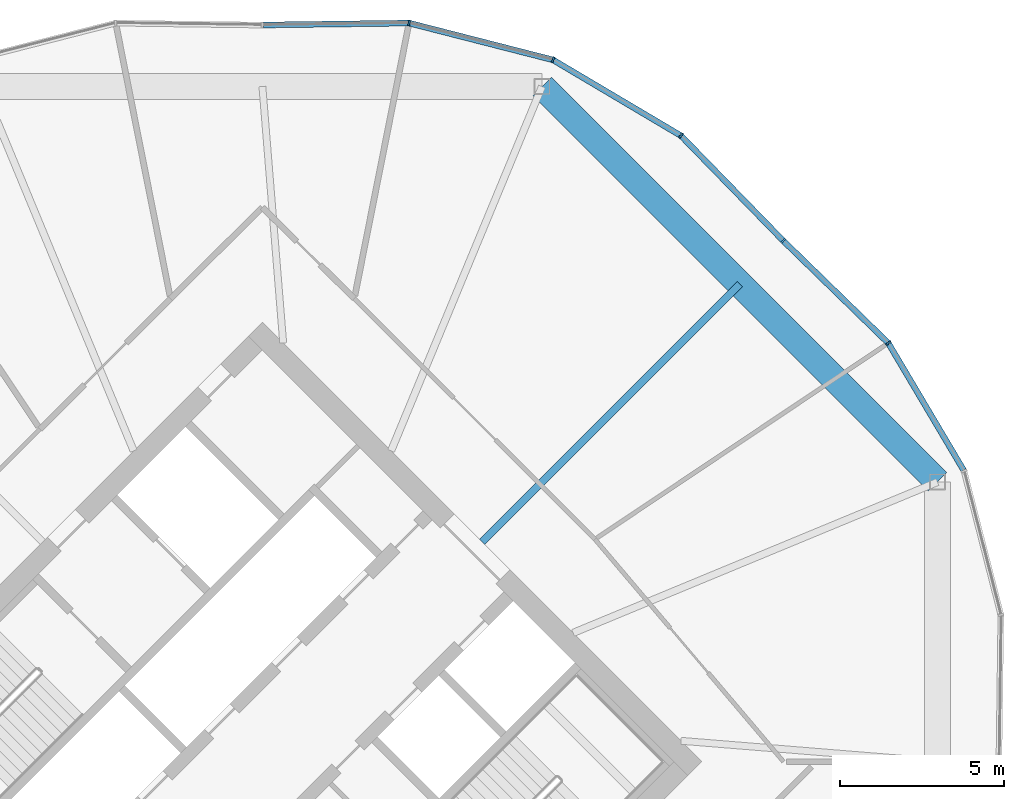
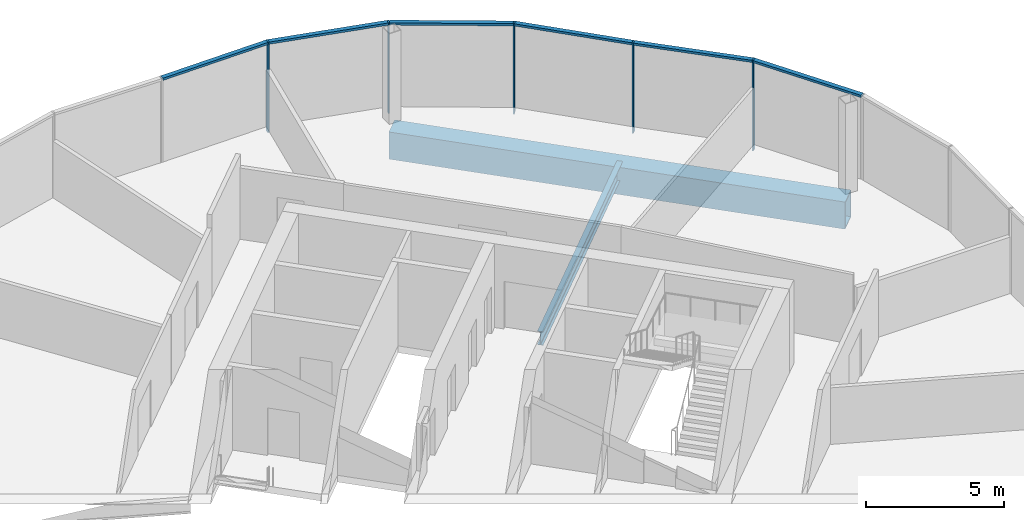
# One storey, part 16 of 25: 11 members, 2 beams, 2 elements without a shape of their own.
"""IFC4 building model written with IfcOpenShell, lengths in metres."""

import ifcopenshell
import ifcopenshell.guid

model = None  # the IFC model being written
_history = None  # IfcOwnerHistory: only IFC2X3 demands one
_inside = {}  # id of a spatial element -> (the spatial element, [elements in it])
_under = {}  # id of a project, library or spatial element -> (it, [spatial elements below it])
_declared = {}  # id of a project -> (the project, [libraries it declares])
_typed = {}  # id of a type object -> (the type object, [elements of that type])
_made_of = {}  # id of a material, layer set ... -> (it, [elements and type objects made of it])


def new_model(schema):
    """Start an empty IFC model of exactly this schema.

    Asked for "IFC4X3", IfcOpenShell would pick the latest addendum, in which some entities
    have other attributes; the version numbers below select the first issue.
    IFC2X3 requires an IfcOwnerHistory on every rooted entity: one is made here for all.
    """
    global model, _history
    if schema == "IFC4X3":
        model = ifcopenshell.file(schema_version=(4, 3, 0, 0))
    else:
        model = ifcopenshell.file(schema=schema)
    _inside.clear()
    _under.clear()
    _declared.clear()
    _typed.clear()
    _made_of.clear()
    _history = None
    if model.schema == "IFC2X3":
        org = make("IfcOrganization", Name="unknown")
        user = make(
            "IfcPersonAndOrganization",
            ThePerson=make("IfcPerson", FamilyName="unknown"),
            TheOrganization=org,
        )
        app = make(
            "IfcApplication",
            ApplicationDeveloper=org,
            Version="unknown",
            ApplicationFullName="unknown",
            ApplicationIdentifier="unknown",
        )
        _history = make(
            "IfcOwnerHistory",
            OwningUser=user,
            OwningApplication=app,
            ChangeAction="ADDED",
            CreationDate=0,
        )
    return model


def make(cls, **values):
    """One entity of the class cls with the attributes given. An attribute that is None is left unset."""
    return model.create_entity(
        cls, **{name: value for name, value in values.items() if value is not None}
    )


def rooted(cls, **values):
    """An entity with a GlobalId (a new one), such as an element, a storey or a relation."""
    return make(cls, GlobalId=ifcopenshell.guid.new(), OwnerHistory=_history, **values)


def si_unit(unit_type, name, prefix=None):
    """IfcSIUnit, for example si_unit("LENGTHUNIT", "METRE", prefix="MILLI")."""
    return make("IfcSIUnit", UnitType=unit_type, Prefix=prefix, Name=name)


def assignment(units):
    """IfcUnitAssignment: the units of a project."""
    return None if units is None else make("IfcUnitAssignment", Units=units)


def point(xyz):
    """IfcCartesianPoint."""
    return None if xyz is None else make("IfcCartesianPoint", Coordinates=xyz)


def direction(xyz):
    """IfcDirection."""
    return None if xyz is None else make("IfcDirection", DirectionRatios=xyz)


def frame(location, z_axis=None, x_axis=None):
    """IfcAxis2Placement3D, a coordinate frame: its origin and axes. An axis left out is left unset."""
    return make(
        "IfcAxis2Placement3D",
        Location=point(location),
        Axis=direction(z_axis),
        RefDirection=direction(x_axis),
    )


def frame_2d(location, x_axis=None):
    """IfcAxis2Placement2D, a coordinate frame in the plane: its origin and x axis."""
    return make(
        "IfcAxis2Placement2D", Location=point(location), RefDirection=direction(x_axis)
    )


def origin():
    """The frame at (0, 0, 0) with its axes left unset."""
    return frame((0.0, 0.0, 0.0))


def origin_2d():
    """The frame at (0, 0) in the plane with its x axis left unset."""
    return frame_2d((0.0, 0.0))


def place(relative_to, where):
    """IfcLocalPlacement: puts the frame where relative to a parent placement (None: the world)."""
    return make(
        "IfcLocalPlacement", PlacementRelTo=relative_to, RelativePlacement=where
    )


def context(
    kind, dimensions, precision=None, world=None, true_north=None, identifier=None
):
    """IfcGeometricRepresentationContext, for example the 3D "Model" context."""
    return make(
        "IfcGeometricRepresentationContext",
        ContextIdentifier=identifier,
        ContextType=kind,
        CoordinateSpaceDimension=dimensions,
        Precision=precision,
        WorldCoordinateSystem=world,
        TrueNorth=true_north,
    )


def subcontext(parent, identifier, kind, view, scale=None):
    """IfcGeometricRepresentationSubContext, for example "Body" below "Model"."""
    return make(
        "IfcGeometricRepresentationSubContext",
        ContextIdentifier=identifier,
        ContextType=kind,
        ParentContext=parent,
        TargetScale=scale,
        TargetView=view,
    )


def project(units=None, contexts=None):
    """IfcProject with its units and contexts."""
    return rooted(
        "IfcProject",
        Name="project",
        RepresentationContexts=contexts,
        UnitsInContext=assignment(units),
    )


def spatial(cls, under=None, at=None, **own):
    """A site, building, storey or space (cls), placed at a placement, below another one or the project."""
    s = rooted(cls, ObjectPlacement=at, **own)
    if under is not None:
        _under.setdefault(under.id(), (under, []))[1].append(s)
    return s


def profile(cls, at=None, kind="AREA", **sizes):
    """A parametric profile (cls). Its sizes go by their IFC names, for example OverallWidth=200.0."""
    return make(cls, ProfileType=kind, Position=at, **sizes)


def rectangle(**sizes):
    """IfcRectangleProfileDef."""
    return profile("IfcRectangleProfileDef", **sizes)


def hollow_rectangle(**sizes):
    """IfcRectangleHollowProfileDef."""
    return profile("IfcRectangleHollowProfileDef", **sizes)


def i_section(**sizes):
    """IfcIShapeProfileDef."""
    return profile("IfcIShapeProfileDef", **sizes)


def extrude(swept, where, along, depth):
    """IfcExtrudedAreaSolid: the profile swept, set in the frame where, extruded along a direction by depth."""
    return make(
        "IfcExtrudedAreaSolid",
        SweptArea=swept,
        Position=where,
        ExtrudedDirection=direction(along),
        Depth=depth,
    )


def shape(context_of_items, identifier, shape_type, items):
    """IfcShapeRepresentation: the items that make up one representation, for example the "Body"."""
    return make(
        "IfcShapeRepresentation",
        ContextOfItems=context_of_items,
        RepresentationIdentifier=identifier,
        RepresentationType=shape_type,
        Items=items,
    )


def material(Name=None, Category=None):
    """IfcMaterial."""
    return make("IfcMaterial", Name=Name, Category=Category)


def material_profile(
    of_material, cross_section, Name=None, Category=None, Priority=None
):
    """IfcMaterialProfile: a cross section and its material."""
    return make(
        "IfcMaterialProfile",
        Name=Name,
        Material=of_material,
        Profile=cross_section,
        Priority=Priority,
        Category=Category,
    )


def profile_set(profiles, Name=None, composite=None):
    """IfcMaterialProfileSet."""
    return make(
        "IfcMaterialProfileSet",
        Name=Name,
        MaterialProfiles=profiles,
        CompositeProfile=composite,
    )


def made_of(thing, what):
    """Note that an element or type object is made of a material, layer set ...; save() writes the relation."""
    if what is not None:
        _made_of.setdefault(what.id(), (what, []))[1].append(thing)
    return thing


def type_object(cls, material=None, **own):
    """A type object (cls), such as IfcWallType, which elements share."""
    return made_of(rooted(cls, **own), material)


def element(
    cls,
    number,
    at=None,
    inside=None,
    cuts=None,
    type_object=None,
    material=None,
    context=None,
    identifier="Body",
    shape_type=None,
    held_by="IfcProductDefinitionShape",
    body=None,
    shapes=None,
    **own,
):
    """One element of the class cls, such as IfcWall. Its Tag is "e" and its number.

    at: its placement. inside: the storey or other place that contains it. cuts: it is an
    opening in that element (IfcRelVoidsElement). A single representation is given by context,
    identifier, shape_type and body (its items); several are given by shapes. held_by: the class
    of the entity that holds the representations. save() writes the other relations.
    """
    e = rooted(cls, Tag="e%d" % number, ObjectPlacement=at, **own)
    if body is not None:
        shapes = [shape(context, identifier, shape_type, body)]
    if shapes is not None:
        e.Representation = make(held_by, Representations=shapes)
    if inside is not None:
        _inside.setdefault(inside.id(), (inside, []))[1].append(e)
    if cuts is not None:
        rooted(
            "IfcRelVoidsElement", RelatingBuildingElement=cuts, RelatedOpeningElement=e
        )
    if type_object is not None:
        _typed.setdefault(type_object.id(), (type_object, []))[1].append(e)
    return made_of(e, material)


def aggregate(whole, parts):
    """IfcRelAggregates: a whole, such as a stair, and the parts it consists of."""
    return rooted("IfcRelAggregates", RelatingObject=whole, RelatedObjects=parts)


def save(model, path):
    """Write the relations noted so far, then the file.

    IfcRelAggregates (storeys below a building ...), IfcRelContainedInSpatialStructure (elements
    in a storey), IfcRelDefinesByType, IfcRelAssociatesMaterial and IfcRelDeclares: one each for
    every whole, place, type object, material and project.
    """
    for whole, parts in _under.values():
        aggregate(whole, parts)
    for where, things in _inside.values():
        rooted(
            "IfcRelContainedInSpatialStructure",
            RelatedElements=things,
            RelatingStructure=where,
        )
    for kind, things in _typed.values():
        rooted("IfcRelDefinesByType", RelatedObjects=things, RelatingType=kind)
    for what, things in _made_of.values():
        rooted("IfcRelAssociatesMaterial", RelatedObjects=things, RelatingMaterial=what)
    for by, libraries in _declared.values():
        rooted("IfcRelDeclares", RelatingContext=by, RelatedDefinitions=libraries)
    model.write(path)


model = new_model("IFC4")

# Units and contexts
model_context = context("Model", 3, precision=1e-05, world=origin(), true_north=direction((0.0, 1.0)))
body_context = subcontext(model_context, "Body", "Model", "MODEL_VIEW")
ifc_project = project(units=[si_unit("LENGTHUNIT", "METRE"), si_unit("AREAUNIT", "SQUARE_METRE"), si_unit("VOLUMEUNIT", "CUBIC_METRE"), si_unit("PLANEANGLEUNIT", "RADIAN"), si_unit("MASSUNIT", "GRAM", prefix="KILO")], contexts=[model_context])

# Site, building, storey
site_placement = place(None, origin())
site = spatial("IfcSite", under=ifc_project, at=site_placement, CompositionType="ELEMENT")
building_placement = place(site_placement, origin())
building = spatial("IfcBuilding", under=site, at=building_placement, Name="Ogive Gate Towers", CompositionType="ELEMENT")
storey_placement = place(building_placement, frame((0.0, 0.0, 152.800048828125)))
storey = spatial("IfcBuildingStorey", under=building, at=storey_placement, Name="L36", CompositionType="ELEMENT", Elevation=152.800048828125)

# Beams
ifc_material_1 = material(Name="Steel SM460", Category="steel")
ifc_material_profile_1 = material_profile(ifc_material_1, hollow_rectangle(XDim=0.800048828125, YDim=1.199951171875, WallThickness=0.050048828125, at=origin_2d()), Name="BX 1200x800x50")
ifc_profile_set_1 = profile_set([ifc_material_profile_1], Name="Steel SM460")
beam_type_1 = type_object("IfcBeamType", Name="Edge girder BX 1200x800x50", PredefinedType="BEAM", material=ifc_profile_set_1)
beam_1_placement = place(storey_placement, frame((56.639404296875, 8.549072265625, -0.900146484375), z_axis=(-0.707106781187, 0.707106781187, 0.0), x_axis=(-0.707106781187, -0.707106781187, 0.0)))
element("IfcBeam", 1, at=beam_1_placement, inside=storey, type_object=beam_type_1, Name="T2/L36/SBM021", PredefinedType="BEAM", context=body_context, shape_type="SweptSolid", body=[
    extrude(hollow_rectangle(XDim=0.800048828125, YDim=1.199951171875, WallThickness=0.050048828125, at=origin_2d()), origin(), (0.0, 0.0, 1.0), 17.098388671875),
])
ifc_material_2 = material(Name="Steel SM355", Category="steel")
ifc_material_profile_2 = material_profile(ifc_material_2, i_section(OverallWidth=0.219970703125, OverallDepth=0.60009765625, WebThickness=0.011962890625, FlangeThickness=0.01904296875, FilletRadius=0.02392578125, at=origin_2d()), Name="IPE 600")
ifc_profile_set_2 = profile_set([ifc_material_profile_2], Name="Steel SM355")
beam_type_2 = type_object("IfcBeamType", Name="Radial floor beam IPE 600", PredefinedType="BEAM", material=ifc_profile_set_2)
beam_2_placement = place(storey_placement, frame((42.717529296875, 6.717529296875, -0.60009765625), z_axis=(0.707106781187, 0.707106781187, 0.0), x_axis=(-0.707106781187, 0.707106781187, 0.0)))
element("IfcBeam", 2, at=beam_2_placement, inside=storey, type_object=beam_type_2, Name="T2/L36/SBM010", PredefinedType="BEAM", context=body_context, shape_type="SweptSolid", body=[
    extrude(i_section(OverallWidth=0.219970703125, OverallDepth=0.60009765625, WebThickness=0.011962890625, FlangeThickness=0.01904296875, FilletRadius=0.02392578125, at=origin_2d()), origin(), (0.0, 0.0, 1.0), 11.139404296875),
])

# Curtain wall, members
ifc_material_3 = material(Name="Pale metal aluminium", Category="aluminium")
curtain_wall_type = type_object("IfcCurtainWallType", Name="Tower unitised wall, high zone", PredefinedType="NOTDEFINED", material=ifc_material_3)
curtain_wall_1_placement = place(storey_placement, origin())
curtain_wall_1 = element("IfcCurtainWall", 3, at=curtain_wall_1_placement, inside=storey, type_object=curtain_wall_type, Name="CW2 T2 ECW01", PredefinedType="NOTDEFINED")
ifc_material_profile_3 = material_profile(ifc_material_3, rectangle(XDim=0.179931640625, YDim=0.06005859375, at=origin_2d()), Name="60 x 180 aluminium box")
ifc_profile_set_3 = profile_set([ifc_material_profile_3], Name="Pale metal aluminium")
member_type_1 = type_object("IfcMemberType", Name="Tower unitised wall, high zone mullion 60 x 180", PredefinedType="MULLION", material=ifc_profile_set_3)
member_1_placement = place(storey_placement, frame((55.136962890625, 12.79541015625, -0.300048828125), z_axis=(0.0, 0.0, 1.0), x_axis=(0.78580292387, 0.618476971954, 0.0)))
member_1 = element("IfcMember", 4, at=member_1_placement, type_object=member_type_1, Name="CW2 mullion", PredefinedType="MULLION", context=body_context, shape_type="SweptSolid", body=[
    extrude(rectangle(XDim=0.179931640625, YDim=0.06005859375, at=origin_2d()), origin(), (0.0, 0.0, 1.0), 4.0),
])
member_2_placement = place(storey_placement, frame((51.924072265625, 15.923828125, -0.300048828125), z_axis=(0.0, 0.0, 1.0), x_axis=(0.697652926882, 0.716435896374, 0.0)))
member_2 = element("IfcMember", 5, at=member_2_placement, type_object=member_type_1, Name="CW2 mullion", PredefinedType="MULLION", context=body_context, shape_type="SweptSolid", body=[
    extrude(rectangle(XDim=0.179931640625, YDim=0.06005859375, at=origin_2d()), origin(), (0.0, 0.0, 1.0), 4.0),
])

curtain_wall_2_placement = place(storey_placement, origin())
curtain_wall_2 = element("IfcCurtainWall", 6, at=curtain_wall_2_placement, inside=storey, type_object=curtain_wall_type, Name="CW2 T2 ECW02", PredefinedType="NOTDEFINED")
member_3_placement = place(storey_placement, frame((48.79541015625, 19.136962890625, -0.300048828125), z_axis=(0.0, 0.0, 1.0), x_axis=(0.618476971954, 0.78580292387, 0.0)))
member_3 = element("IfcMember", 7, at=member_3_placement, type_object=member_type_1, Name="CW2 mullion", PredefinedType="MULLION", context=body_context, shape_type="SweptSolid", body=[
    extrude(rectangle(XDim=0.179931640625, YDim=0.06005859375, at=origin_2d()), origin(), (0.0, 0.0, 1.0), 4.0),
])
member_4_placement = place(storey_placement, frame((44.88623046875, 21.45361328125, -0.300048828125), z_axis=(0.0, 0.0, 1.0), x_axis=(0.382683432365, 0.923879532511, 0.0)))
member_4 = element("IfcMember", 8, at=member_4_placement, type_object=member_type_1, Name="CW2 mullion", PredefinedType="MULLION", context=body_context, shape_type="SweptSolid", body=[
    extrude(rectangle(XDim=0.179931640625, YDim=0.06005859375, at=origin_2d()), origin(), (0.0, 0.0, 1.0), 4.0),
])
member_5_placement = place(storey_placement, frame((40.484130859375, 22.57958984375, -0.300048828125), z_axis=(0.0, 0.0, 1.0), x_axis=(0.118317315268, 0.992975837021, 0.0)))
member_5 = element("IfcMember", 9, at=member_5_placement, type_object=member_type_1, Name="CW2 mullion", PredefinedType="MULLION", context=body_context, shape_type="SweptSolid", body=[
    extrude(rectangle(XDim=0.179931640625, YDim=0.06005859375, at=origin_2d()), origin(), (0.0, 0.0, 1.0), 4.0),
])

# Member
ifc_material_profile_4 = material_profile(ifc_material_3, rectangle(XDim=0.179931640625, YDim=0.10009765625, at=origin_2d()), Name="100 x 180 aluminium box")
ifc_profile_set_4 = profile_set([ifc_material_profile_4], Name="Pale metal aluminium")
member_type_2 = type_object("IfcMemberType", Name="Tower unitised wall, high zone transom 100 x 180", PredefinedType="USERDEFINED", material=ifc_profile_set_4)
member_6_placement = place(storey_placement, frame((57.438720703125, 8.910888671875, 3.64990234375), z_axis=(-0.509766591489, 0.860312746739, 0.0), x_axis=(-0.860312746739, -0.509766591489, 0.0)))
member_6 = element("IfcMember", 10, at=member_6_placement, type_object=member_type_2, Name="CW2 transom", ObjectType="TRANSOM", PredefinedType="USERDEFINED", context=body_context, shape_type="SweptSolid", body=[
    extrude(rectangle(XDim=0.179931640625, YDim=0.10009765625, at=origin_2d()), origin(), (0.0, 0.0, 1.0), 4.486572265625),
])

member_7_placement = place(storey_placement, frame((55.116455078125, 12.8154296875, 3.64990234375), z_axis=(-0.71644942086, 0.697639038006, 0.0), x_axis=(-0.697639038006, -0.71644942086, 0.0)))
member_7 = element("IfcMember", 11, at=member_7_placement, type_object=member_type_2, Name="CW2 transom", ObjectType="TRANSOM", PredefinedType="USERDEFINED", context=body_context, shape_type="SweptSolid", body=[
    extrude(rectangle(XDim=0.179931640625, YDim=0.10009765625, at=origin_2d()), origin(), (0.0, 0.0, 1.0), 4.42578125),
])

aggregate(curtain_wall_1, [member_1, member_6, member_2, member_7])

member_8_placement = place(storey_placement, frame((51.903076171875, 15.945556640625, 3.64990234375), z_axis=(-0.697639038006, 0.71644942086, 0.0), x_axis=(-0.71644942086, -0.697639038006, 0.0)))
member_8 = element("IfcMember", 12, at=member_8_placement, type_object=member_type_2, Name="CW2 transom", ObjectType="TRANSOM", PredefinedType="USERDEFINED", context=body_context, shape_type="SweptSolid", body=[
    extrude(rectangle(XDim=0.179931640625, YDim=0.10009765625, at=origin_2d()), origin(), (0.0, 0.0, 1.0), 4.42578125),
])

member_9_placement = place(storey_placement, frame((48.770751953125, 19.151611328125, 3.64990234375), z_axis=(-0.860312746739, 0.509766591489, 0.0), x_axis=(-0.509766591489, -0.860312746739, 0.0)))
member_9 = element("IfcMember", 13, at=member_9_placement, type_object=member_type_2, Name="CW2 transom", ObjectType="TRANSOM", PredefinedType="USERDEFINED", context=body_context, shape_type="SweptSolid", body=[
    extrude(rectangle(XDim=0.179931640625, YDim=0.10009765625, at=origin_2d()), origin(), (0.0, 0.0, 1.0), 4.486572265625),
])

member_10_placement = place(storey_placement, frame((44.858642578125, 21.46044921875, 3.64990234375), z_axis=(-0.968796323569, 0.247858192196, 0.0), x_axis=(-0.247858192196, -0.968796323569, 0.0)))
member_10 = element("IfcMember", 14, at=member_10_placement, type_object=member_type_2, Name="CW2 transom", ObjectType="TRANSOM", PredefinedType="USERDEFINED", context=body_context, shape_type="SweptSolid", body=[
    extrude(rectangle(XDim=0.179931640625, YDim=0.10009765625, at=origin_2d()), origin(), (0.0, 0.0, 1.0), 4.486572265625),
])

member_11_placement = place(storey_placement, frame((40.45556640625, 22.5791015625, 3.64990234375), z_axis=(-0.999912363802, -0.013238758058, 0.0), x_axis=(0.013238758058, -0.999912363802, 0.0)))
member_11 = element("IfcMember", 15, at=member_11_placement, type_object=member_type_2, Name="CW2 transom", ObjectType="TRANSOM", PredefinedType="USERDEFINED", context=body_context, shape_type="SweptSolid", body=[
    extrude(rectangle(XDim=0.179931640625, YDim=0.10009765625, at=origin_2d()), origin(), (0.0, 0.0, 1.0), 4.426025390625),
])

aggregate(curtain_wall_2, [member_3, member_8, member_4, member_9, member_5, member_10, member_11])

save(model, "model.ifc")
